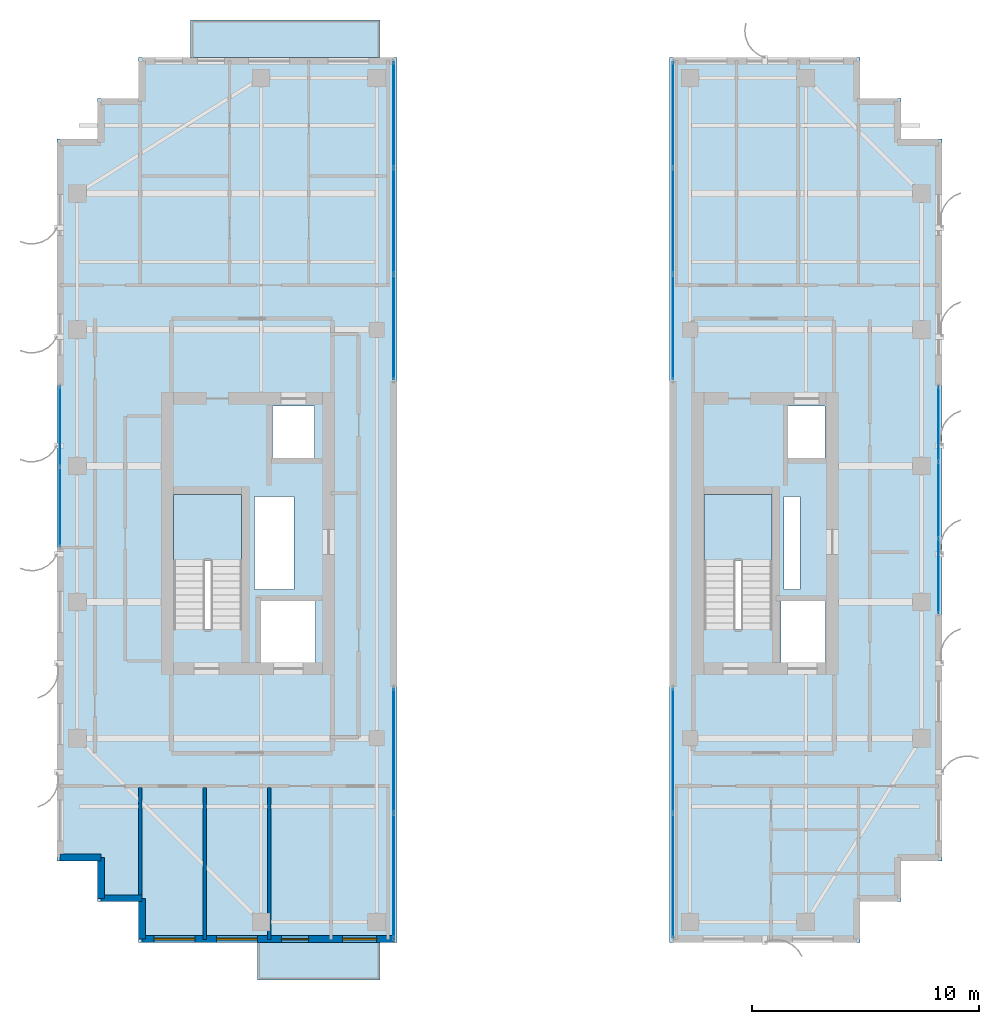
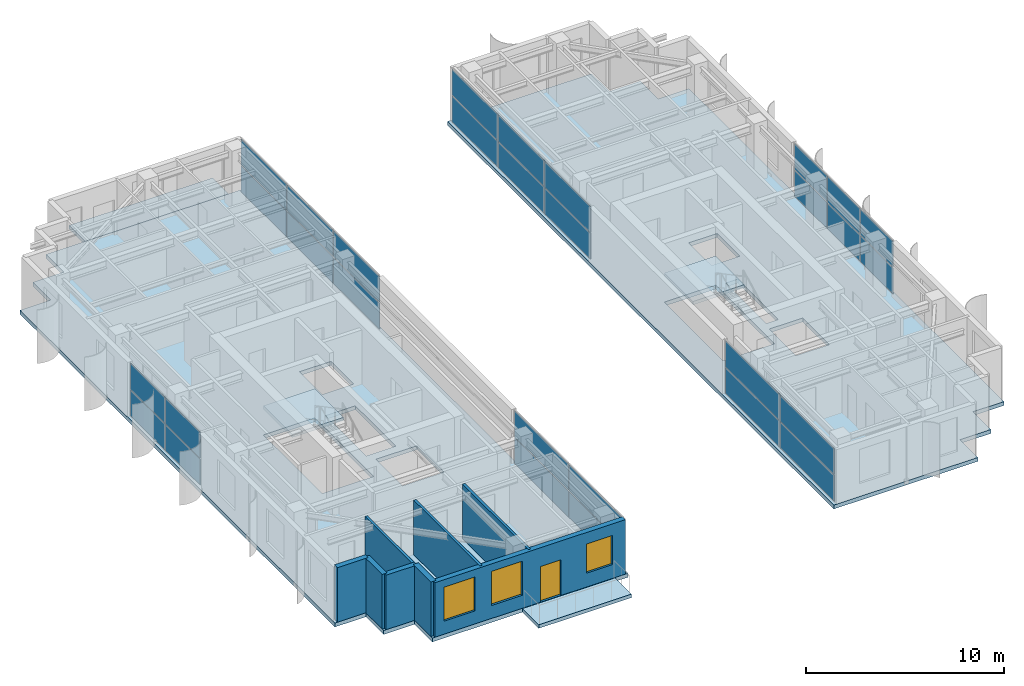
# One storey, part 16 of 23: 30 plates, 8 walls, 6 slabs, 3 windows, 1 door, 4 openings, 8 elements without a shape of their own.
"""IFC4 building model written with IfcOpenShell, lengths in metres."""

from ifc_helpers import new_model, si_unit, direction, frame, frame_2d, origin, origin_2d, place, context, subcontext, project, spatial, polyline, rectangle, outline, extrude, source, transform, mapped, material, layer, layer_set, type_object, element, fill, aggregate, save


model = new_model("IFC4")

# Units and contexts
model_context = context("Model", 3, precision=1e-05, world=origin(), true_north=direction((0.0, 1.0)))
body_context = subcontext(model_context, "Body", "Model", "MODEL_VIEW")
ifc_project = project(units=[si_unit("LENGTHUNIT", "METRE"), si_unit("AREAUNIT", "SQUARE_METRE"), si_unit("VOLUMEUNIT", "CUBIC_METRE"), si_unit("PLANEANGLEUNIT", "RADIAN"), si_unit("MASSUNIT", "GRAM", prefix="KILO")], contexts=[model_context])

# Site, building, storey
site_placement = place(None, origin())
site = spatial("IfcSite", under=ifc_project, at=site_placement, CompositionType="ELEMENT")
building_placement = place(site_placement, origin())
building = spatial("IfcBuilding", under=site, at=building_placement, Name="Khoralis Quay Care Tower", CompositionType="ELEMENT")
storey_placement = place(building_placement, frame((0.0, 0.0, 245.699951171875)))
storey = spatial("IfcBuildingStorey", under=building, at=storey_placement, Name="L64", CompositionType="ELEMENT", Elevation=245.699951171875)

# Slabs
ifc_material_1 = material(Name="Concrete C45/55", Category="concrete")
ifc_layer_1 = layer(ifc_material_1, 0.219970703125)
ifc_layer_set_1 = layer_set([ifc_layer_1], Name="Concrete C45/55")
slab_type_1 = type_object("IfcSlabType", Name="SLB-EXT-BALC-220", PredefinedType="FLOOR", material=ifc_layer_set_1)
slab_1_placement = place(storey_placement, frame((0.0, 0.0, -0.239990234375)))
element("IfcSlab", 1, at=slab_1_placement, inside=storey, type_object=slab_type_1, Name="L64 Senior Loggia Balcony Slab P1E0", PredefinedType="FLOOR", context=body_context, shape_type="SweptSolid", body=[
    extrude(outline(polyline([(11.85009765625, 1.35009765625), (17.25, 1.35009765625), (17.25, 3.0), (11.85009765625, 3.0), (11.85009765625, 1.35009765625)])), origin(), (0.0, 0.0, 1.0), 0.219970703125),
])
slab_2_placement = place(storey_placement, frame((0.0, 0.0, -0.239990234375)))
element("IfcSlab", 2, at=slab_2_placement, inside=storey, type_object=slab_type_1, Name="L64 Senior Loggia Balcony Slab P1E2", PredefinedType="FLOOR", context=body_context, shape_type="SweptSolid", body=[
    extrude(outline(polyline([(8.89990234375, 42.0), (17.25, 42.0), (17.25, 43.64990234375), (8.89990234375, 43.64990234375), (8.89990234375, 42.0)])), origin(), (0.0, 0.0, 1.0), 0.219970703125),
])

# Stair, slab
ifc_material_2 = material(Name="Precast concrete C45/55", Category="concrete")
stair_type = type_object("IfcStairType", Name="ST-TWR-DOGLEG-1400", PredefinedType="HALF_TURN_STAIR", material=ifc_material_2)
stair_1_placement = place(storey_placement, origin())
stair_1 = element("IfcStair", 3, at=stair_1_placement, inside=storey, type_object=stair_type, Name="L64 West Core Exit Stair ST-T1", PredefinedType="HALF_TURN_STAIR")
ifc_layer_2 = layer(ifc_material_2, 0.199951171875)
ifc_layer_set_2 = layer_set([ifc_layer_2], Name="Precast concrete C45/55")
slab_type_2 = type_object("IfcSlabType", Name="SLB-LANDING-200", PredefinedType="LANDING", material=ifc_layer_set_2)
slab_3_placement = place(storey_placement, frame((0.0, 0.0, 1.60009765625)))
slab_3 = element("IfcSlab", 4, at=slab_3_placement, type_object=slab_type_2, Name="ST-T1 landing 1", PredefinedType="LANDING", context=body_context, shape_type="SweptSolid", body=[
    extrude(outline(polyline([(11.14990234375, 19.840087890625), (11.14990234375, 22.75), (8.14990234375, 22.75), (8.14990234375, 19.840087890625), (11.14990234375, 19.840087890625)])), origin(), (0.0, 0.0, 1.0), 0.199951171875),
])
aggregate(stair_1, [slab_3])

stair_2_placement = place(storey_placement, origin())
stair_2 = element("IfcStair", 5, at=stair_2_placement, inside=storey, type_object=stair_type, Name="L64 East Core Exit Stair ST-T2", PredefinedType="HALF_TURN_STAIR")
slab_4_placement = place(storey_placement, frame((0.0, 0.0, 1.60009765625)))
slab_4 = element("IfcSlab", 6, at=slab_4_placement, type_object=slab_type_2, Name="ST-T2 landing 1", PredefinedType="LANDING", context=body_context, shape_type="SweptSolid", body=[
    extrude(outline(polyline([(34.52001953125, 19.840087890625), (34.52001953125, 22.75), (31.52001953125, 22.75), (31.52001953125, 19.840087890625), (34.52001953125, 19.840087890625)])), origin(), (0.0, 0.0, 1.0), 0.199951171875),
])
aggregate(stair_2, [slab_4])

# Slabs
ifc_material_3 = material(Name="Concrete C40/50", Category="concrete")
ifc_layer_3 = layer(ifc_material_3, 0.239990234375)
ifc_layer_set_3 = layer_set([ifc_layer_3], Name="Concrete C40/50")
slab_type_3 = type_object("IfcSlabType", Name="SLB-TWR-240", PredefinedType="FLOOR", material=ifc_layer_set_3)
slab_5_placement = place(storey_placement, frame((0.0, 0.0, -0.239990234375)))
element("IfcSlab", 7, at=slab_5_placement, inside=storey, type_object=slab_type_3, Name="Tower Wing 1 Slab L64", PredefinedType="FLOOR", context=body_context, shape_type="SweptSolid", body=[
    extrude(outline(polyline([(6.60009765625, 3.0), (18.0, 3.0), (18.0, 42.0), (6.60009765625, 42.0), (6.60009765625, 40.199951171875), (4.800048828125, 40.199951171875), (4.800048828125, 38.39990234375), (3.0, 38.39990234375), (3.0, 6.60009765625), (4.800048828125, 6.60009765625), (4.800048828125, 4.800048828125), (6.60009765625, 4.800048828125), (6.60009765625, 3.0)]), holes=[polyline([(11.14990234375, 16.800048828125), (11.14990234375, 22.75), (8.14990234375, 22.75), (8.14990234375, 16.800048828125), (11.14990234375, 16.800048828125)]), polyline([(12.0, 15.35009765625), (14.39990234375, 15.35009765625), (14.39990234375, 18.050048828125), (12.0, 18.050048828125), (12.0, 15.35009765625)]), polyline([(12.5, 24.35009765625), (14.35009765625, 24.35009765625), (14.35009765625, 26.64990234375), (12.5, 26.64990234375), (12.5, 24.35009765625)]), polyline([(11.719970703125, 18.550048828125), (13.449951171875, 18.550048828125), (13.449951171875, 22.64990234375), (11.719970703125, 22.64990234375), (11.719970703125, 18.550048828125)])]), origin(), (0.0, 0.0, 1.0), 0.239990234375),
])
slab_6_placement = place(storey_placement, frame((0.0, 0.0, -0.239990234375)))
element("IfcSlab", 8, at=slab_6_placement, inside=storey, type_object=slab_type_3, Name="Tower Wing 2 Slab L64", PredefinedType="FLOOR", context=body_context, shape_type="SweptSolid", body=[
    extrude(outline(polyline([(30.0, 3.0), (38.39990234375, 3.0), (38.39990234375, 4.800048828125), (40.199951171875, 4.800048828125), (40.199951171875, 6.60009765625), (42.0, 6.60009765625), (42.0, 38.39990234375), (40.199951171875, 38.39990234375), (40.199951171875, 40.199951171875), (38.39990234375, 40.199951171875), (38.39990234375, 42.0), (30.0, 42.0), (30.0, 3.0)]), holes=[polyline([(34.52001953125, 16.800048828125), (34.52001953125, 22.75), (31.52001953125, 22.75), (31.52001953125, 16.800048828125), (34.52001953125, 16.800048828125)]), polyline([(34.919921875, 15.35009765625), (36.8798828125, 15.35009765625), (36.8798828125, 18.050048828125), (34.919921875, 18.050048828125), (34.919921875, 15.35009765625)]), polyline([(35.199951171875, 24.35009765625), (36.85009765625, 24.35009765625), (36.85009765625, 26.64990234375), (35.199951171875, 26.64990234375), (35.199951171875, 24.35009765625)]), polyline([(35.050048828125, 18.550048828125), (35.75, 18.550048828125), (35.75, 22.64990234375), (35.050048828125, 22.64990234375), (35.050048828125, 18.550048828125)])]), origin(), (0.0, 0.0, 1.0), 0.239990234375),
])

# Curtain wall, plates
ifc_material_4 = material(Name="Pale anodised aluminium", Category="aluminium")
ifc_layer_4 = layer(ifc_material_4, 0.18994140625)
ifc_layer_set_4 = layer_set([ifc_layer_4], Name="Pale anodised aluminium")
curtain_wall_type_1 = type_object("IfcCurtainWallType", Name="CW-SYS-PORTAL", PredefinedType="NOTDEFINED", material=ifc_layer_set_4)
curtain_wall_1_placement = place(storey_placement, origin())
curtain_wall_1 = element("IfcCurtainWall", 9, at=curtain_wall_1_placement, inside=storey, type_object=curtain_wall_type_1, Name="L64 Unitised Curtain Wall CW-VP-L64-P1-S", PredefinedType="NOTDEFINED")
ifc_material_5 = material(Name="Low-E solar-control double glazing", Category="glass")
ifc_layer_5 = layer(ifc_material_5, 0.031982421875)
ifc_layer_set_5 = layer_set([ifc_layer_5], Name="Low-E solar-control double glazing")
plate_type = type_object("IfcPlateType", Name="PNL-VIS-32", PredefinedType="CURTAIN_PANEL", material=ifc_layer_set_5)
shared_shape_1 = source(origin(), body_context, "Body", "SweptSolid", [
    extrude(rectangle(XDim=5.4599609375, YDim=0.028076171875, at=origin_2d()), origin(), (0.0, 0.0, 1.0), 1.590087890625),
])
plate_1_placement = place(storey_placement, frame((17.85009765625, 5.93994140625, 0.06005859375), z_axis=(0.0, 0.0, 1.0), x_axis=(0.0, 1.0, 0.0)))
plate_1 = element("IfcPlate", 10, at=plate_1_placement, type_object=plate_type, Name="CW4 panel 1.1", PredefinedType="CURTAIN_PANEL", context=body_context, shape_type="MappedRepresentation", body=[
    mapped(shared_shape_1, transform((0.0, 0.0, 0.0), scale=1.0)),
])
plate_2_placement = place(storey_placement, frame((17.85009765625, 5.93994140625, 1.7099609375), z_axis=(0.0, 0.0, 1.0), x_axis=(0.0, 1.0, 0.0)))
plate_2 = element("IfcPlate", 11, at=plate_2_placement, type_object=plate_type, Name="CW4 panel 1.2", PredefinedType="CURTAIN_PANEL", context=body_context, shape_type="MappedRepresentation", body=[
    mapped(shared_shape_1, transform((0.0, 0.0, 0.0), scale=1.0)),
])
plate_3_placement = place(storey_placement, frame((17.85009765625, 11.4599609375, 0.06005859375), z_axis=(0.0, 0.0, 1.0), x_axis=(0.0, 1.0, 0.0)))
plate_3 = element("IfcPlate", 12, at=plate_3_placement, type_object=plate_type, Name="CW4 panel 2.1", PredefinedType="CURTAIN_PANEL", context=body_context, shape_type="MappedRepresentation", body=[
    mapped(shared_shape_1, transform((0.0, 0.0, 0.0), scale=1.0)),
])
plate_4_placement = place(storey_placement, frame((17.85009765625, 11.4599609375, 1.7099609375), z_axis=(0.0, 0.0, 1.0), x_axis=(0.0, 1.0, 0.0)))
plate_4 = element("IfcPlate", 13, at=plate_4_placement, type_object=plate_type, Name="CW4 panel 2.2", PredefinedType="CURTAIN_PANEL", context=body_context, shape_type="MappedRepresentation", body=[
    mapped(shared_shape_1, transform((0.0, 0.0, 0.0), scale=1.0)),
])
aggregate(curtain_wall_1, [plate_1, plate_2, plate_3, plate_4])

curtain_wall_2_placement = place(storey_placement, origin())
curtain_wall_2 = element("IfcCurtainWall", 14, at=curtain_wall_2_placement, inside=storey, type_object=curtain_wall_type_1, Name="L64 Unitised Curtain Wall CW-VP-L64-P2-S", PredefinedType="NOTDEFINED")
plate_5_placement = place(storey_placement, frame((30.14990234375, 5.93994140625, 0.06005859375), z_axis=(0.0, 0.0, 1.0), x_axis=(0.0, 1.0, 0.0)))
plate_5 = element("IfcPlate", 15, at=plate_5_placement, type_object=plate_type, Name="CW4 panel 1.1", PredefinedType="CURTAIN_PANEL", context=body_context, shape_type="MappedRepresentation", body=[
    mapped(shared_shape_1, transform((0.0, 0.0, 0.0), scale=1.0)),
])
plate_6_placement = place(storey_placement, frame((30.14990234375, 5.93994140625, 1.7099609375), z_axis=(0.0, 0.0, 1.0), x_axis=(0.0, 1.0, 0.0)))
plate_6 = element("IfcPlate", 16, at=plate_6_placement, type_object=plate_type, Name="CW4 panel 1.2", PredefinedType="CURTAIN_PANEL", context=body_context, shape_type="MappedRepresentation", body=[
    mapped(shared_shape_1, transform((0.0, 0.0, 0.0), scale=1.0)),
])
plate_7_placement = place(storey_placement, frame((30.14990234375, 11.4599609375, 0.06005859375), z_axis=(0.0, 0.0, 1.0), x_axis=(0.0, 1.0, 0.0)))
plate_7 = element("IfcPlate", 17, at=plate_7_placement, type_object=plate_type, Name="CW4 panel 2.1", PredefinedType="CURTAIN_PANEL", context=body_context, shape_type="MappedRepresentation", body=[
    mapped(shared_shape_1, transform((0.0, 0.0, 0.0), scale=1.0)),
])
plate_8_placement = place(storey_placement, frame((30.14990234375, 11.4599609375, 1.7099609375), z_axis=(0.0, 0.0, 1.0), x_axis=(0.0, 1.0, 0.0)))
plate_8 = element("IfcPlate", 18, at=plate_8_placement, type_object=plate_type, Name="CW4 panel 2.2", PredefinedType="CURTAIN_PANEL", context=body_context, shape_type="MappedRepresentation", body=[
    mapped(shared_shape_1, transform((0.0, 0.0, 0.0), scale=1.0)),
])
aggregate(curtain_wall_2, [plate_5, plate_6, plate_7, plate_8])

curtain_wall_3_placement = place(storey_placement, origin())
curtain_wall_3 = element("IfcCurtainWall", 19, at=curtain_wall_3_placement, inside=storey, type_object=curtain_wall_type_1, Name="L64 Unitised Curtain Wall CW-VP-L64-P1-N", PredefinedType="NOTDEFINED")
shared_shape_2 = source(origin(), body_context, "Body", "SweptSolid", [
    extrude(rectangle(XDim=4.610107421875, YDim=0.028076171875, at=origin_2d()), origin(), (0.0, 0.0, 1.0), 1.590087890625),
])
plate_9_placement = place(storey_placement, frame((17.85009765625, 30.114990234375, 0.06005859375), z_axis=(0.0, 0.0, 1.0), x_axis=(0.0, 1.0, 0.0)))
plate_9 = element("IfcPlate", 20, at=plate_9_placement, type_object=plate_type, Name="CW4 panel 1.1", PredefinedType="CURTAIN_PANEL", context=body_context, shape_type="MappedRepresentation", body=[
    mapped(shared_shape_2, transform((0.0, 0.0, 0.0), scale=1.0)),
])
plate_10_placement = place(storey_placement, frame((17.85009765625, 30.114990234375, 1.7099609375), z_axis=(0.0, 0.0, 1.0), x_axis=(0.0, 1.0, 0.0)))
plate_10 = element("IfcPlate", 21, at=plate_10_placement, type_object=plate_type, Name="CW4 panel 1.2", PredefinedType="CURTAIN_PANEL", context=body_context, shape_type="MappedRepresentation", body=[
    mapped(shared_shape_2, transform((0.0, 0.0, 0.0), scale=1.0)),
])
plate_11_placement = place(storey_placement, frame((17.85009765625, 39.485107421875, 0.06005859375), z_axis=(0.0, 0.0, 1.0), x_axis=(0.0, 1.0, 0.0)))
plate_11 = element("IfcPlate", 22, at=plate_11_placement, type_object=plate_type, Name="CW4 panel 3.1", PredefinedType="CURTAIN_PANEL", context=body_context, shape_type="MappedRepresentation", body=[
    mapped(shared_shape_2, transform((0.0, 0.0, 0.0), scale=1.0)),
])
plate_12_placement = place(storey_placement, frame((17.85009765625, 39.485107421875, 1.7099609375), z_axis=(0.0, 0.0, 1.0), x_axis=(0.0, 1.0, 0.0)))
plate_12 = element("IfcPlate", 23, at=plate_12_placement, type_object=plate_type, Name="CW4 panel 3.2", PredefinedType="CURTAIN_PANEL", context=body_context, shape_type="MappedRepresentation", body=[
    mapped(shared_shape_2, transform((0.0, 0.0, 0.0), scale=1.0)),
])

curtain_wall_4_placement = place(storey_placement, origin())
curtain_wall_4 = element("IfcCurtainWall", 24, at=curtain_wall_4_placement, inside=storey, type_object=curtain_wall_type_1, Name="L64 Unitised Curtain Wall CW-VP-L64-P2-N", PredefinedType="NOTDEFINED")
plate_13_placement = place(storey_placement, frame((30.14990234375, 30.114990234375, 0.06005859375), z_axis=(0.0, 0.0, 1.0), x_axis=(0.0, 1.0, 0.0)))
plate_13 = element("IfcPlate", 25, at=plate_13_placement, type_object=plate_type, Name="CW4 panel 1.1", PredefinedType="CURTAIN_PANEL", context=body_context, shape_type="MappedRepresentation", body=[
    mapped(shared_shape_2, transform((0.0, 0.0, 0.0), scale=1.0)),
])
plate_14_placement = place(storey_placement, frame((30.14990234375, 30.114990234375, 1.7099609375), z_axis=(0.0, 0.0, 1.0), x_axis=(0.0, 1.0, 0.0)))
plate_14 = element("IfcPlate", 26, at=plate_14_placement, type_object=plate_type, Name="CW4 panel 1.2", PredefinedType="CURTAIN_PANEL", context=body_context, shape_type="MappedRepresentation", body=[
    mapped(shared_shape_2, transform((0.0, 0.0, 0.0), scale=1.0)),
])
plate_15_placement = place(storey_placement, frame((30.14990234375, 39.485107421875, 0.06005859375), z_axis=(0.0, 0.0, 1.0), x_axis=(0.0, 1.0, 0.0)))
plate_15 = element("IfcPlate", 27, at=plate_15_placement, type_object=plate_type, Name="CW4 panel 3.1", PredefinedType="CURTAIN_PANEL", context=body_context, shape_type="MappedRepresentation", body=[
    mapped(shared_shape_2, transform((0.0, 0.0, 0.0), scale=1.0)),
])
plate_16_placement = place(storey_placement, frame((30.14990234375, 39.485107421875, 1.7099609375), z_axis=(0.0, 0.0, 1.0), x_axis=(0.0, 1.0, 0.0)))
plate_16 = element("IfcPlate", 28, at=plate_16_placement, type_object=plate_type, Name="CW4 panel 3.2", PredefinedType="CURTAIN_PANEL", context=body_context, shape_type="MappedRepresentation", body=[
    mapped(shared_shape_2, transform((0.0, 0.0, 0.0), scale=1.0)),
])

# Plate
shared_shape_3 = source(origin(), body_context, "Body", "SweptSolid", [
    extrude(rectangle(XDim=4.639892578125, YDim=0.028076171875, at=origin_2d()), origin(), (0.0, 0.0, 1.0), 1.590087890625),
])
plate_17_placement = place(storey_placement, frame((17.85009765625, 34.800048828125, 0.06005859375), z_axis=(0.0, 0.0, 1.0), x_axis=(0.0, 1.0, 0.0)))
plate_17 = element("IfcPlate", 29, at=plate_17_placement, type_object=plate_type, Name="CW4 panel 2.1", PredefinedType="CURTAIN_PANEL", context=body_context, shape_type="MappedRepresentation", body=[
    mapped(shared_shape_3, transform((0.0, 0.0, 0.0), scale=1.0)),
])

plate_18_placement = place(storey_placement, frame((17.85009765625, 34.800048828125, 1.7099609375), z_axis=(0.0, 0.0, 1.0), x_axis=(0.0, 1.0, 0.0)))
plate_18 = element("IfcPlate", 30, at=plate_18_placement, type_object=plate_type, Name="CW4 panel 2.2", PredefinedType="CURTAIN_PANEL", context=body_context, shape_type="MappedRepresentation", body=[
    mapped(shared_shape_3, transform((0.0, 0.0, 0.0), scale=1.0)),
])

aggregate(curtain_wall_3, [plate_9, plate_10, plate_17, plate_18, plate_11, plate_12])

plate_19_placement = place(storey_placement, frame((30.14990234375, 34.800048828125, 0.06005859375), z_axis=(0.0, 0.0, 1.0), x_axis=(0.0, 1.0, 0.0)))
plate_19 = element("IfcPlate", 31, at=plate_19_placement, type_object=plate_type, Name="CW4 panel 2.1", PredefinedType="CURTAIN_PANEL", context=body_context, shape_type="MappedRepresentation", body=[
    mapped(shared_shape_3, transform((0.0, 0.0, 0.0), scale=1.0)),
])

plate_20_placement = place(storey_placement, frame((30.14990234375, 34.800048828125, 1.7099609375), z_axis=(0.0, 0.0, 1.0), x_axis=(0.0, 1.0, 0.0)))
plate_20 = element("IfcPlate", 32, at=plate_20_placement, type_object=plate_type, Name="CW4 panel 2.2", PredefinedType="CURTAIN_PANEL", context=body_context, shape_type="MappedRepresentation", body=[
    mapped(shared_shape_3, transform((0.0, 0.0, 0.0), scale=1.0)),
])

aggregate(curtain_wall_4, [plate_13, plate_14, plate_19, plate_20, plate_15, plate_16])

# Curtain wall, plates
ifc_layer_6 = layer(ifc_material_4, 0.159912109375)
ifc_layer_set_6 = layer_set([ifc_layer_6], Name="Pale anodised aluminium")
curtain_wall_type_2 = type_object("IfcCurtainWallType", Name="CW-SYS-Z3", PredefinedType="NOTDEFINED", material=ifc_layer_set_6)
curtain_wall_5_placement = place(storey_placement, origin())
curtain_wall_5 = element("IfcCurtainWall", 33, at=curtain_wall_5_placement, inside=storey, type_object=curtain_wall_type_2, Name="L64 Unitised Curtain Wall CW-L64-P2-E5", PredefinedType="NOTDEFINED")
shared_shape_4 = source(origin(), body_context, "Body", "SweptSolid", [
    extrude(rectangle(XDim=3.27001953125, YDim=0.028076171875, at=origin_2d()), origin(), (0.0, 0.0, 1.0), 1.590087890625),
])
plate_21_placement = place(storey_placement, frame((41.85009765625, 19.155029296875, 0.06005859375), z_axis=(0.0, 0.0, 1.0), x_axis=(0.0, 1.0, 0.0)))
plate_21 = element("IfcPlate", 34, at=plate_21_placement, type_object=plate_type, Name="CW3 panel 1.1", PredefinedType="CURTAIN_PANEL", context=body_context, shape_type="MappedRepresentation", body=[
    mapped(shared_shape_4, transform((0.0, 0.0, 0.0), scale=1.0)),
])
plate_22_placement = place(storey_placement, frame((41.85009765625, 19.155029296875, 1.7099609375), z_axis=(0.0, 0.0, 1.0), x_axis=(0.0, 1.0, 0.0)))
plate_22 = element("IfcPlate", 35, at=plate_22_placement, type_object=plate_type, Name="CW3 panel 1.2", PredefinedType="CURTAIN_PANEL", context=body_context, shape_type="MappedRepresentation", body=[
    mapped(shared_shape_4, transform((0.0, 0.0, 0.0), scale=1.0)),
])
plate_23_placement = place(storey_placement, frame((41.85009765625, 25.844970703125, 0.06005859375), z_axis=(0.0, 0.0, 1.0), x_axis=(0.0, 1.0, 0.0)))
plate_23 = element("IfcPlate", 36, at=plate_23_placement, type_object=plate_type, Name="CW3 panel 3.1", PredefinedType="CURTAIN_PANEL", context=body_context, shape_type="MappedRepresentation", body=[
    mapped(shared_shape_4, transform((0.0, 0.0, 0.0), scale=1.0)),
])
plate_24_placement = place(storey_placement, frame((41.85009765625, 25.844970703125, 1.7099609375), z_axis=(0.0, 0.0, 1.0), x_axis=(0.0, 1.0, 0.0)))
plate_24 = element("IfcPlate", 37, at=plate_24_placement, type_object=plate_type, Name="CW3 panel 3.2", PredefinedType="CURTAIN_PANEL", context=body_context, shape_type="MappedRepresentation", body=[
    mapped(shared_shape_4, transform((0.0, 0.0, 0.0), scale=1.0)),
])
shared_shape_5 = source(origin(), body_context, "Body", "SweptSolid", [
    extrude(rectangle(XDim=3.300048828125, YDim=0.028076171875, at=origin_2d()), origin(), (0.0, 0.0, 1.0), 1.590087890625),
])
plate_25_placement = place(storey_placement, frame((41.85009765625, 22.5, 0.06005859375), z_axis=(0.0, 0.0, 1.0), x_axis=(0.0, 1.0, 0.0)))
plate_25 = element("IfcPlate", 38, at=plate_25_placement, type_object=plate_type, Name="CW3 panel 2.1", PredefinedType="CURTAIN_PANEL", context=body_context, shape_type="MappedRepresentation", body=[
    mapped(shared_shape_5, transform((0.0, 0.0, 0.0), scale=1.0)),
])
plate_26_placement = place(storey_placement, frame((41.85009765625, 22.5, 1.7099609375), z_axis=(0.0, 0.0, 1.0), x_axis=(0.0, 1.0, 0.0)))
plate_26 = element("IfcPlate", 39, at=plate_26_placement, type_object=plate_type, Name="CW3 panel 2.2", PredefinedType="CURTAIN_PANEL", context=body_context, shape_type="MappedRepresentation", body=[
    mapped(shared_shape_5, transform((0.0, 0.0, 0.0), scale=1.0)),
])
aggregate(curtain_wall_5, [plate_21, plate_22, plate_25, plate_26, plate_23, plate_24])

curtain_wall_6_placement = place(storey_placement, origin())
curtain_wall_6 = element("IfcCurtainWall", 40, at=curtain_wall_6_placement, inside=storey, type_object=curtain_wall_type_2, Name="L64 Unitised Curtain Wall CW-L64-P1-E7", PredefinedType="NOTDEFINED")
shared_shape_6 = source(origin(), body_context, "Body", "SweptSolid", [
    extrude(rectangle(XDim=3.47998046875, YDim=0.028076171875, at=origin_2d()), origin(), (0.0, 0.0, 1.0), 1.590087890625),
])
plate_27_placement = place(storey_placement, frame((3.14990234375, 25.739990234375, 0.06005859375), z_axis=(0.0, 0.0, 1.0), x_axis=(0.0, -1.0, 0.0)))
plate_27 = element("IfcPlate", 41, at=plate_27_placement, type_object=plate_type, Name="CW3 panel 1.1", PredefinedType="CURTAIN_PANEL", context=body_context, shape_type="MappedRepresentation", body=[
    mapped(shared_shape_6, transform((0.0, 0.0, 0.0), scale=1.0)),
])
plate_28_placement = place(storey_placement, frame((3.14990234375, 25.739990234375, 1.7099609375), z_axis=(0.0, 0.0, 1.0), x_axis=(0.0, -1.0, 0.0)))
plate_28 = element("IfcPlate", 42, at=plate_28_placement, type_object=plate_type, Name="CW3 panel 1.2", PredefinedType="CURTAIN_PANEL", context=body_context, shape_type="MappedRepresentation", body=[
    mapped(shared_shape_6, transform((0.0, 0.0, 0.0), scale=1.0)),
])
plate_29_placement = place(storey_placement, frame((3.14990234375, 22.199951171875, 0.06005859375), z_axis=(0.0, 0.0, 1.0), x_axis=(0.0, -1.0, 0.0)))
plate_29 = element("IfcPlate", 43, at=plate_29_placement, type_object=plate_type, Name="CW3 panel 2.1", PredefinedType="CURTAIN_PANEL", context=body_context, shape_type="MappedRepresentation", body=[
    mapped(shared_shape_6, transform((0.0, 0.0, 0.0), scale=1.0)),
])
plate_30_placement = place(storey_placement, frame((3.14990234375, 22.199951171875, 1.7099609375), z_axis=(0.0, 0.0, 1.0), x_axis=(0.0, -1.0, 0.0)))
plate_30 = element("IfcPlate", 44, at=plate_30_placement, type_object=plate_type, Name="CW3 panel 2.2", PredefinedType="CURTAIN_PANEL", context=body_context, shape_type="MappedRepresentation", body=[
    mapped(shared_shape_6, transform((0.0, 0.0, 0.0), scale=1.0)),
])
aggregate(curtain_wall_6, [plate_27, plate_28, plate_29, plate_30])

# Wall, openings, windows, door
ifc_layer_7 = layer(ifc_material_2, 0.300048828125)
ifc_layer_set_7 = layer_set([ifc_layer_7], Name="Precast concrete C45/55")
wall_type_1 = type_object("IfcWallType", Name="WL-EXT-REF-300", PredefinedType="SOLIDWALL", material=ifc_layer_set_7)
wall_1_placement = place(storey_placement, frame((6.75, 3.14990234375, 0.0), z_axis=(0.0, 0.0, 1.0), x_axis=(1.0, 0.0, 0.0)))
wall_1 = element("IfcWall", 45, at=wall_1_placement, inside=storey, type_object=wall_type_1, Name="L64 External Facade Wall WL-EXT-L64-P1-E0", PredefinedType="SOLIDWALL", context=body_context, shape_type="SweptSolid", body=[
    extrude(rectangle(XDim=11.10009765625, YDim=0.300048828125, at=frame_2d((5.550048828125, 0.0))), origin(), (0.0, 0.0, 1.0), 3.360107421875),
])
opening_1_placement = place(wall_1_placement, frame((0.534912109375, 0.0, 0.800048828125)))
opening_1 = element("IfcOpeningElement", 46, at=opening_1_placement, cuts=wall_1, Name="Opening W2", PredefinedType="OPENING", context=body_context, shape_type="SweptSolid", body=[
    extrude(rectangle(XDim=1.800048828125, YDim=2.10009765625, at=frame_2d((0.89990234375, 1.050048828125))), frame((0.0, 0.16015625, 0.0), z_axis=(0.0, -1.0, 0.0), x_axis=(1.0, 0.0, 0.0)), (0.0, 0.0, 1.0), 0.320068359375),
])
opening_2_placement = place(wall_1_placement, frame((3.2900390625, 0.0, 0.800048828125)))
opening_2 = element("IfcOpeningElement", 47, at=opening_2_placement, cuts=wall_1, Name="Opening W2", PredefinedType="OPENING", context=body_context, shape_type="SweptSolid", body=[
    extrude(rectangle(XDim=1.800048828125, YDim=2.10009765625, at=frame_2d((0.89990234375, 1.050048828125))), frame((0.0, 0.16015625, 0.0), z_axis=(0.0, -1.0, 0.0), x_axis=(1.0, 0.0, 0.0)), (0.0, 0.0, 1.0), 0.320068359375),
])
opening_3_placement = place(wall_1_placement, frame((8.844970703125, 0.0, 0.85009765625)))
opening_3 = element("IfcOpeningElement", 48, at=opening_3_placement, cuts=wall_1, Name="Opening W3", PredefinedType="OPENING", context=body_context, shape_type="SweptSolid", body=[
    extrude(rectangle(XDim=1.5, YDim=1.800048828125, at=frame_2d((0.75, 0.89990234375))), frame((0.0, 0.16015625, 0.0), z_axis=(0.0, -1.0, 0.0), x_axis=(1.0, 0.0, 0.0)), (0.0, 0.0, 1.0), 0.320068359375),
])
opening_4_placement = place(wall_1_placement, frame((6.14990234375, 0.0, 0.0)))
opening_4 = element("IfcOpeningElement", 49, at=opening_4_placement, cuts=wall_1, Name="Opening BD1", PredefinedType="OPENING", context=body_context, shape_type="SweptSolid", body=[
    extrude(rectangle(XDim=1.199951171875, YDim=2.199951171875, at=frame_2d((0.60009765625, 1.10009765625))), frame((0.0, 0.16015625, 0.0), z_axis=(0.0, -1.0, 0.0), x_axis=(1.0, 0.0, 0.0)), (0.0, 0.0, 1.0), 0.320068359375),
])
window_type_1 = type_object("IfcWindowType", Name="WN-CLIN-1500X1800", PartitioningType="SINGLE_PANEL", PredefinedType="WINDOW", material=ifc_material_5)
shared_shape_7 = source(origin(), body_context, "Body", "SweptSolid", [
    extrude(rectangle(XDim=1.5, YDim=1.800048828125, at=frame_2d((0.75, 0.89990234375))), frame((0.0, 0.030029296875, 0.0), z_axis=(0.0, -1.0, 0.0), x_axis=(1.0, 0.0, 0.0)), (0.0, 0.0, 1.0), 0.06005859375),
])
window_1_placement = place(opening_3_placement, origin())
window_1 = element("IfcWindow", 50, at=window_1_placement, inside=storey, type_object=window_type_1, Name="WN-L64-P1-E0 Facade Window 03", OverallHeight=1.800048828125, OverallWidth=1.5, PartitioningType="SINGLE_PANEL", PredefinedType="WINDOW", context=body_context, shape_type="MappedRepresentation", body=[
    mapped(shared_shape_7, transform((0.0, 0.0, 0.0), scale=1.0)),
])
fill(opening_3, window_1)
window_type_2 = type_object("IfcWindowType", Name="WN-POD-1800X2100", PartitioningType="SINGLE_PANEL", PredefinedType="WINDOW", material=ifc_material_5)
shared_shape_8 = source(origin(), body_context, "Body", "SweptSolid", [
    extrude(rectangle(XDim=1.800048828125, YDim=2.10009765625, at=frame_2d((0.89990234375, 1.050048828125))), frame((0.0, 0.030029296875, 0.0), z_axis=(0.0, -1.0, 0.0), x_axis=(1.0, 0.0, 0.0)), (0.0, 0.0, 1.0), 0.06005859375),
])
window_2_placement = place(opening_1_placement, origin())
window_2 = element("IfcWindow", 51, at=window_2_placement, inside=storey, type_object=window_type_2, Name="WN-L64-P1-E0 Facade Window 01", OverallHeight=2.10009765625, OverallWidth=1.800048828125, PartitioningType="SINGLE_PANEL", PredefinedType="WINDOW", context=body_context, shape_type="MappedRepresentation", body=[
    mapped(shared_shape_8, transform((0.0, 0.0, 0.0), scale=1.0)),
])
fill(opening_1, window_2)
window_3_placement = place(opening_2_placement, origin())
window_3 = element("IfcWindow", 52, at=window_3_placement, inside=storey, type_object=window_type_2, Name="WN-L64-P1-E0 Facade Window 02", OverallHeight=2.10009765625, OverallWidth=1.800048828125, PartitioningType="SINGLE_PANEL", PredefinedType="WINDOW", context=body_context, shape_type="MappedRepresentation", body=[
    mapped(shared_shape_8, transform((0.0, 0.0, 0.0), scale=1.0)),
])
fill(opening_2, window_3)
ifc_material_6 = material(Name="Anodised aluminium and laminated safety glass", Category="aluminium")
door_type = type_object("IfcDoorType", Name="DR-EXT-BALC-1200X2200", OperationType="NOTDEFINED", PredefinedType="DOOR", material=ifc_material_6)
shared_shape_9 = source(origin(), body_context, "Body", "SweptSolid", [
    extrude(rectangle(XDim=1.199951171875, YDim=2.199951171875, at=frame_2d((0.60009765625, 1.10009765625))), frame((0.0, 0.02490234375, 0.0), z_axis=(0.0, -1.0, 0.0), x_axis=(1.0, 0.0, 0.0)), (0.0, 0.0, 1.0), 0.050048828125),
])
door_placement = place(opening_4_placement, frame((1.199951171875, 0.0, 0.0), z_axis=(0.0, 0.0, 1.0), x_axis=(-1.0, 0.0, 0.0)))
door = element("IfcDoor", 53, at=door_placement, inside=storey, type_object=door_type, Name="L64 Senior Loggia Balcony Door", OperationType="SINGLE_SWING_LEFT", OverallHeight=2.199951171875, OverallWidth=1.199951171875, PredefinedType="DOOR", context=body_context, shape_type="MappedRepresentation", body=[
    mapped(shared_shape_9, transform((0.0, 0.0, 0.0), scale=1.0)),
])
fill(opening_4, door)

# Walls
for number, where, z_axis, x_axis, name in (
    (54, (3.14990234375, 6.75, 0.0), (0.0, 0.0, 1.0), (1.0, 0.0, 0.0), "L64 External Facade Wall WL-EXT-L64-P1-C8"),
    (55, (4.949951171875, 6.75, 0.0), (0.0, 0.0, 1.0), (0.0, -1.0, 0.0), "L64 External Facade Wall WL-EXT-L64-P1-C9"),
    (56, (4.949951171875, 4.949951171875, 0.0), (0.0, 0.0, 1.0), (1.0, 0.0, 0.0), "L64 External Facade Wall WL-EXT-L64-P1-C10"),
    (57, (6.75, 4.949951171875, 0.0), (0.0, 0.0, 1.0), (0.0, -1.0, 0.0), "L64 External Facade Wall WL-EXT-L64-P1-C11"),
):
    element("IfcWall", number, at=place(storey_placement, frame(where, z_axis=z_axis, x_axis=x_axis)), inside=storey, type_object=wall_type_1, Name=name, PredefinedType="SOLIDWALL", context=body_context, shape_type="SweptSolid", body=[
        extrude(rectangle(XDim=1.800048828125, YDim=0.300048828125, at=frame_2d((0.89990234375, 0.0))), origin(), (0.0, 0.0, 1.0), 3.360107421875),
    ])
ifc_material_7 = material(Name="Gypsum plasterboard on acoustic metal stud")
ifc_layer_8 = layer(ifc_material_7, 0.139892578125)
ifc_layer_set_8 = layer_set([ifc_layer_8], Name="Gypsum plasterboard on acoustic metal stud")
wall_type_2 = type_object("IfcWallType", Name="WL-UNIT-140", PredefinedType="PARTITIONING", material=ifc_layer_set_8)
wall_2_placement = place(storey_placement, frame((6.679931640625, 4.945068359375, 0.0), z_axis=(0.0, 0.0, 1.0), x_axis=(0.0, 1.0, 0.0)))
element("IfcWall", 58, at=wall_2_placement, inside=storey, type_object=wall_type_2, Name="L64 WS Demising Wall 0", PredefinedType="PARTITIONING", context=body_context, shape_type="SweptSolid", body=[
    extrude(rectangle(XDim=4.87744140625, YDim=0.139892578125, at=frame_2d((2.438720703125, 0.0))), origin(), (0.0, 0.0, 1.0), 3.360107421875),
])
for number, where, z_axis, x_axis, name in (
    (59, (9.52001953125, 3.14501953125, 0.0), (0.0, 0.0, 1.0), (0.0, 1.0, 0.0), "L64 WS Demising Wall 1"),
    (60, (12.360107421875, 3.14501953125, 0.0), (0.0, 0.0, 1.0), (0.0, 1.0, 0.0), "L64 WS Demising Wall 2"),
):
    element("IfcWall", number, at=place(storey_placement, frame(where, z_axis=z_axis, x_axis=x_axis)), inside=storey, type_object=wall_type_2, Name=name, PredefinedType="PARTITIONING", context=body_context, shape_type="SweptSolid", body=[
        extrude(rectangle(XDim=6.677490234375, YDim=0.139892578125, at=frame_2d((3.3388671875, 0.0))), origin(), (0.0, 0.0, 1.0), 3.360107421875),
    ])

save(model, "model.ifc")
